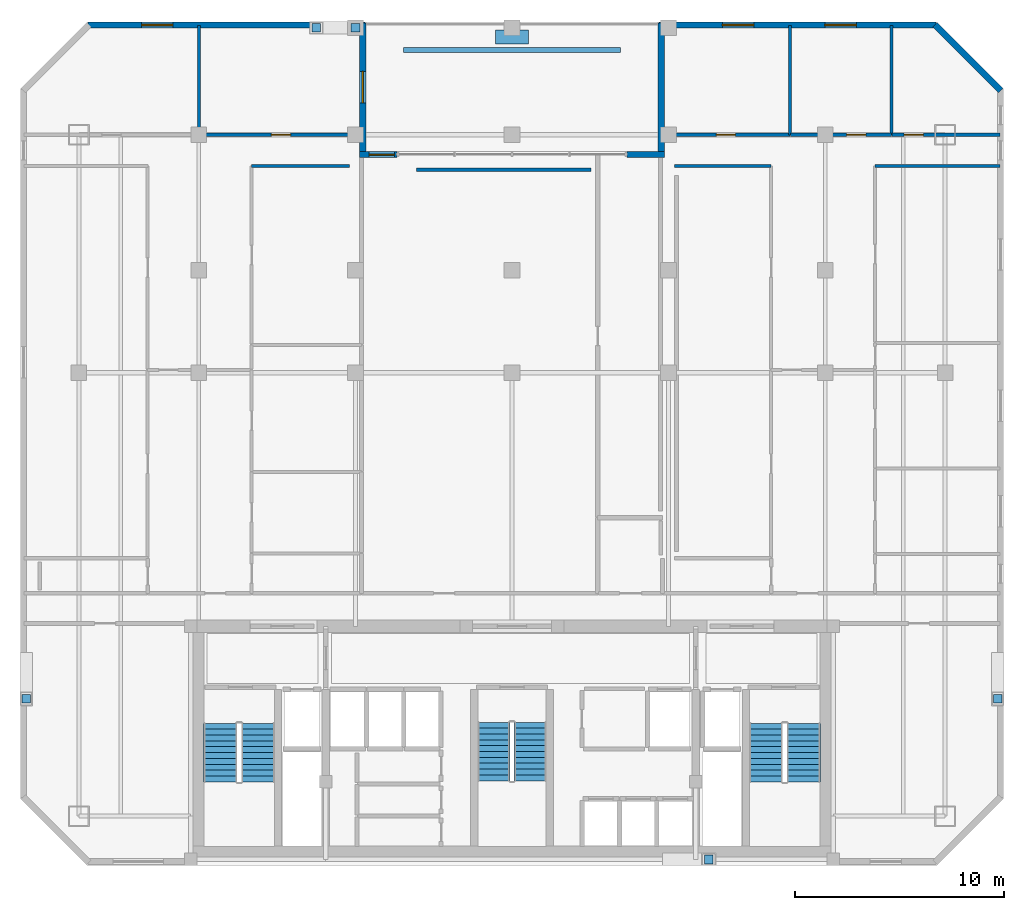
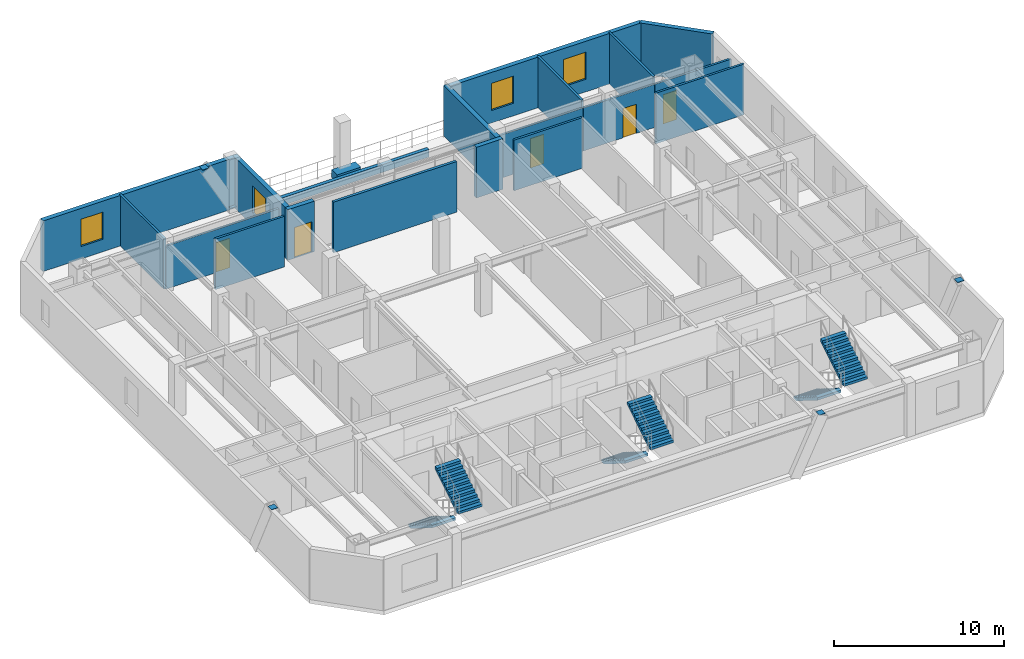
# One storey, part 8 of 9: 19 walls, 6 discrete accessories, 6 stair flights, 5 doors, 4 windows, 9 openings, 3 elements without a shape of their own.
"""IFC4 building model written with IfcOpenShell, lengths in metres."""

from ifc_helpers import new_model, si_unit, direction, frame, frame_2d, origin, origin_2d, place, context, subcontext, project, spatial, polyline, rectangle, outline, extrude, material, layer, layer_set, type_object, element, fill, aggregate, save


model = new_model("IFC4")

# Units and contexts
model_context = context("Model", 3, precision=1e-05, world=origin(), true_north=direction((0.0, 1.0)))
body_context = subcontext(model_context, "Body", "Model", "MODEL_VIEW")
ifc_project = project(units=[si_unit("LENGTHUNIT", "METRE"), si_unit("AREAUNIT", "SQUARE_METRE"), si_unit("VOLUMEUNIT", "CUBIC_METRE"), si_unit("PLANEANGLEUNIT", "RADIAN"), si_unit("MASSUNIT", "GRAM", prefix="KILO")], contexts=[model_context])

# Site, building, storey
site_placement = place(None, origin())
site = spatial("IfcSite", under=ifc_project, at=site_placement, CompositionType="ELEMENT")
building_placement = place(site_placement, origin())
building = spatial("IfcBuilding", under=site, at=building_placement, Name="Ventersveld Concourse Tower", CompositionType="ELEMENT")
storey_placement = place(building_placement, frame((0.0, 0.0, 204.14990234375)))
storey = spatial("IfcBuildingStorey", under=building, at=storey_placement, Name="L50", CompositionType="ELEMENT", Elevation=204.14990234375)

# Walls
ifc_material_1 = material(Name="Fire-rated autoclaved aerated masonry blockwork", Category="masonry")
ifc_layer_1 = layer(ifc_material_1, 0.179931640625)
ifc_layer_set_1 = layer_set([ifc_layer_1], Name="Fire-rated autoclaved aerated masonry blockwork")
wall_type_1 = type_object("IfcWallType", Name="WL-CORR-180", PredefinedType="PARTITIONING", material=ifc_layer_set_1)
wall_1_placement = place(storey_placement, frame((24.16796875, 33.320068359375, 0.0), z_axis=(0.0, 0.0, 1.0), x_axis=(1.0, 0.0, 0.0)))
element("IfcWall", 1, at=wall_1_placement, inside=storey, type_object=wall_type_1, Name="L50 Room Enclosure Wall SP-L50-SGLNG", PredefinedType="PARTITIONING", context=body_context, shape_type="SweptSolid", body=[
    extrude(rectangle(XDim=8.366943359375, YDim=0.179931640625, at=frame_2d((4.18359375, 0.0))), origin(), (0.0, 0.0, 1.0), 3.630126953125),
])
ifc_material_2 = material(Name="Autoclaved aerated masonry blockwork", Category="masonry")
ifc_layer_2 = layer(ifc_material_2, 0.14990234375)
ifc_layer_set_2 = layer_set([ifc_layer_2], Name="Autoclaved aerated masonry blockwork")
wall_type_2 = type_object("IfcWallType", Name="WL-INT-150", PredefinedType="PARTITIONING", material=ifc_layer_set_2)
wall_2_placement = place(storey_placement, frame((16.27001953125, 33.5, 0.0), z_axis=(0.0, 0.0, 1.0), x_axis=(1.0, 0.0, 0.0)))
element("IfcWall", 2, at=wall_2_placement, inside=storey, type_object=wall_type_2, Name="L50 Interior Partition SP-L50-50CW-LIV-SP-L50-50CW-DENS2", PredefinedType="PARTITIONING", context=body_context, shape_type="SweptSolid", body=[
    extrude(rectangle(XDim=4.695068359375, YDim=0.14990234375, at=frame_2d((2.34765625, 0.0))), origin(), (0.0, 0.0, 1.0), 3.630126953125),
])

# Wall, opening, door
wall_3_placement = place(storey_placement, frame((13.784912109375, 35.0, 0.0), z_axis=(0.0, 0.0, 1.0), x_axis=(1.0, 0.0, 0.0)))
wall_3 = element("IfcWall", 3, at=wall_3_placement, inside=storey, type_object=wall_type_2, Name="L50 Interior Partition SP-L50-50CW-LIV-SP-L50-50CW-BR2", PredefinedType="PARTITIONING", context=body_context, shape_type="SweptSolid", body=[
    extrude(rectangle(XDim=7.79248046875, YDim=0.14990234375, at=frame_2d((3.896240234375, 0.0))), origin(), (0.0, 0.0, 1.0), 3.085693359375),
])
opening_1_placement = place(wall_3_placement, frame((3.436279296875, 0.0, 0.0)))
opening_1 = element("IfcOpeningElement", 4, at=opening_1_placement, cuts=wall_3, Name="Opening ID1", PredefinedType="OPENING", context=body_context, shape_type="SweptSolid", body=[
    extrude(rectangle(XDim=0.919921875, YDim=2.10009765625, at=frame_2d((0.4599609375, 1.050048828125))), frame((0.0, 0.0849609375, 0.0), z_axis=(0.0, -1.0, 0.0), x_axis=(1.0, 0.0, 0.0)), (0.0, 0.0, 1.0), 0.169921875),
])
ifc_material_3 = material(Name="Solid-core hardwood veneer timber", Category="wood")
door_type_1 = type_object("IfcDoorType", Name="DR-ROOM-092", OperationType="NOTDEFINED", PredefinedType="DOOR", material=ifc_material_3)
door_1_placement = place(opening_1_placement, origin())
door_1 = element("IfcDoor", 5, at=door_1_placement, inside=storey, type_object=door_type_1, Name="L50 Interior Door SP-L50-50CW-LIV to SP-L50-50CW-BR2 (D-L50-2454)", OperationType="SINGLE_SWING_RIGHT", OverallHeight=2.10009765625, OverallWidth=0.919921875, PredefinedType="DOOR", context=body_context, shape_type="SweptSolid", body=[
    extrude(rectangle(XDim=0.919921875, YDim=2.10009765625, at=frame_2d((0.4599609375, 1.050048828125))), frame((0.0, 0.02490234375, 0.0), z_axis=(0.0, -1.0, 0.0), x_axis=(1.0, 0.0, 0.0)), (0.0, 0.0, 1.0), 0.050048828125),
])
fill(opening_1, door_1)

# Walls
wall_4_placement = place(storey_placement, frame((13.75, 34.9951171875, 0.0), z_axis=(0.0, 0.0, 1.0), x_axis=(0.0, 1.0, 0.0)))
element("IfcWall", 6, at=wall_4_placement, inside=storey, type_object=wall_type_2, Name="L50 Interior Partition SP-L50-50CW-BR1-SP-L50-50CW-BR2", PredefinedType="PARTITIONING", context=body_context, shape_type="SweptSolid", body=[
    extrude(rectangle(XDim=5.232421875, YDim=0.14990234375, at=frame_2d((2.6162109375, 0.0))), origin(), (0.0, 0.0, 1.0), 3.630126953125),
])
wall_5_placement = place(storey_placement, frame((36.534912109375, 33.5, 0.0), z_axis=(0.0, 0.0, 1.0), x_axis=(1.0, 0.0, 0.0)))
element("IfcWall", 7, at=wall_5_placement, inside=storey, type_object=wall_type_2, Name="L50 Interior Partition SP-L50-50CE-LIV-SP-L50-50CE-OFFL0", PredefinedType="PARTITIONING", context=body_context, shape_type="SweptSolid", body=[
    extrude(rectangle(XDim=4.63134765625, YDim=0.14990234375, at=frame_2d((2.315673828125, 0.0))), origin(), (0.0, 0.0, 1.0), 3.630126953125),
])
wall_6_placement = place(storey_placement, frame((46.13623046875, 33.5, 0.0), z_axis=(0.0, 0.0, 1.0), x_axis=(1.0, 0.0, 0.0)))
element("IfcWall", 8, at=wall_6_placement, inside=storey, type_object=wall_type_2, Name="L50 Interior Partition SP-L50-50CE-LIV-SP-L50-50CE-DENS2", PredefinedType="PARTITIONING", context=body_context, shape_type="SweptSolid", body=[
    extrude(rectangle(XDim=5.9912109375, YDim=0.14990234375, at=frame_2d((2.99560546875, 0.0))), origin(), (0.0, 0.0, 1.0), 3.630126953125),
])

# Wall, opening, door
wall_7_placement = place(storey_placement, frame((35.922607421875, 35.0, 0.0), z_axis=(0.0, 0.0, 1.0), x_axis=(1.0, 0.0, 0.0)))
wall_7 = element("IfcWall", 9, at=wall_7_placement, inside=storey, type_object=wall_type_2, Name="L50 Interior Partition SP-L50-50CE-LIV-SP-L50-50CE-BR1", PredefinedType="PARTITIONING", context=body_context, shape_type="SweptSolid", body=[
    extrude(rectangle(XDim=6.14794921875, YDim=0.14990234375, at=frame_2d((3.073974609375, 0.0))), origin(), (0.0, 0.0, 1.0), 3.085693359375),
])
opening_2_placement = place(wall_7_placement, frame((2.614013671875, 0.0, 0.0)))
opening_2 = element("IfcOpeningElement", 10, at=opening_2_placement, cuts=wall_7, Name="Opening ID1", PredefinedType="OPENING", context=body_context, shape_type="SweptSolid", body=[
    extrude(rectangle(XDim=0.919921875, YDim=2.10009765625, at=frame_2d((0.4599609375, 1.050048828125))), frame((0.0, 0.0849609375, 0.0), z_axis=(0.0, -1.0, 0.0), x_axis=(1.0, 0.0, 0.0)), (0.0, 0.0, 1.0), 0.169921875),
])
door_2_placement = place(opening_2_placement, origin())
door_2 = element("IfcDoor", 11, at=door_2_placement, inside=storey, type_object=door_type_1, Name="L50 Interior Door SP-L50-50CE-LIV to SP-L50-50CE-BR1 (D-L50-2464)", OperationType="SINGLE_SWING_RIGHT", OverallHeight=2.10009765625, OverallWidth=0.919921875, PredefinedType="DOOR", context=body_context, shape_type="SweptSolid", body=[
    extrude(rectangle(XDim=0.919921875, YDim=2.10009765625, at=frame_2d((0.4599609375, 1.050048828125))), frame((0.0, 0.02490234375, 0.0), z_axis=(0.0, -1.0, 0.0), x_axis=(1.0, 0.0, 0.0)), (0.0, 0.0, 1.0), 0.050048828125),
])
fill(opening_2, door_2)

wall_8_placement = place(storey_placement, frame((42.1005859375, 35.0, 0.0), z_axis=(0.0, 0.0, 1.0), x_axis=(1.0, 0.0, 0.0)))
wall_8 = element("IfcWall", 12, at=wall_8_placement, inside=storey, type_object=wall_type_2, Name="L50 Interior Partition SP-L50-50CE-LIV-SP-L50-50CE-BR2", PredefinedType="PARTITIONING", context=body_context, shape_type="SweptSolid", body=[
    extrude(rectangle(XDim=4.828125, YDim=0.14990234375, at=frame_2d((2.4140625, 0.0))), origin(), (0.0, 0.0, 1.0), 3.085693359375),
])
opening_3_placement = place(wall_8_placement, frame((2.67822265625, 0.0, 0.0)))
opening_3 = element("IfcOpeningElement", 13, at=opening_3_placement, cuts=wall_8, Name="Opening ID1", PredefinedType="OPENING", context=body_context, shape_type="SweptSolid", body=[
    extrude(rectangle(XDim=0.919921875, YDim=2.10009765625, at=frame_2d((0.4599609375, 1.050048828125))), frame((0.0, 0.0849609375, 0.0), z_axis=(0.0, -1.0, 0.0), x_axis=(1.0, 0.0, 0.0)), (0.0, 0.0, 1.0), 0.169921875),
])
door_3_placement = place(opening_3_placement, origin())
door_3 = element("IfcDoor", 14, at=door_3_placement, inside=storey, type_object=door_type_1, Name="L50 Interior Door SP-L50-50CE-LIV to SP-L50-50CE-BR2 (D-L50-2465)", OperationType="SINGLE_SWING_LEFT", OverallHeight=2.10009765625, OverallWidth=0.919921875, PredefinedType="DOOR", context=body_context, shape_type="SweptSolid", body=[
    extrude(rectangle(XDim=0.919921875, YDim=2.10009765625, at=frame_2d((0.4599609375, 1.050048828125))), frame((0.0, 0.02490234375, 0.0), z_axis=(0.0, -1.0, 0.0), x_axis=(1.0, 0.0, 0.0)), (0.0, 0.0, 1.0), 0.050048828125),
])
fill(opening_3, door_3)

wall_9_placement = place(storey_placement, frame((46.958740234375, 35.0, 0.0), z_axis=(0.0, 0.0, 1.0), x_axis=(1.0, 0.0, 0.0)))
wall_9 = element("IfcWall", 15, at=wall_9_placement, inside=storey, type_object=wall_type_2, Name="L50 Interior Partition SP-L50-50CE-LIV-SP-L50-50CE-BR3", PredefinedType="PARTITIONING", context=body_context, shape_type="SweptSolid", body=[
    extrude(rectangle(XDim=5.168701171875, YDim=0.14990234375, at=frame_2d((2.58447265625, 0.0))), origin(), (0.0, 0.0, 1.0), 3.085693359375),
])
opening_4_placement = place(wall_9_placement, frame((0.57373046875, 0.0, 0.0)))
opening_4 = element("IfcOpeningElement", 16, at=opening_4_placement, cuts=wall_9, Name="Opening ID1", PredefinedType="OPENING", context=body_context, shape_type="SweptSolid", body=[
    extrude(rectangle(XDim=0.919921875, YDim=2.10009765625, at=frame_2d((0.4599609375, 1.050048828125))), frame((0.0, 0.0849609375, 0.0), z_axis=(0.0, -1.0, 0.0), x_axis=(1.0, 0.0, 0.0)), (0.0, 0.0, 1.0), 0.169921875),
])
door_4_placement = place(opening_4_placement, origin())
door_4 = element("IfcDoor", 17, at=door_4_placement, inside=storey, type_object=door_type_1, Name="L50 Interior Door SP-L50-50CE-LIV to SP-L50-50CE-BR3 (D-L50-2466)", OperationType="SINGLE_SWING_RIGHT", OverallHeight=2.10009765625, OverallWidth=0.919921875, PredefinedType="DOOR", context=body_context, shape_type="SweptSolid", body=[
    extrude(rectangle(XDim=0.919921875, YDim=2.10009765625, at=frame_2d((0.4599609375, 1.050048828125))), frame((0.0, 0.02490234375, 0.0), z_axis=(0.0, -1.0, 0.0), x_axis=(1.0, 0.0, 0.0)), (0.0, 0.0, 1.0), 0.050048828125),
])
fill(opening_4, door_4)

# Walls
for number, where, z_axis, x_axis, name in (
    (18, (42.065673828125, 34.9951171875, 0.0), (0.0, 0.0, 1.0), (0.0, 1.0, 0.0), "L50 Interior Partition SP-L50-50CE-BR1-SP-L50-50CE-BR2"),
    (19, (46.923583984375, 34.9951171875, 0.0), (0.0, 0.0, 1.0), (0.0, 1.0, 0.0), "L50 Interior Partition SP-L50-50CE-BR2-SP-L50-50CE-BR3"),
):
    element("IfcWall", number, at=place(storey_placement, frame(where, z_axis=z_axis, x_axis=x_axis)), inside=storey, type_object=wall_type_2, Name=name, PredefinedType="PARTITIONING", context=body_context, shape_type="SweptSolid", body=[
        extrude(rectangle(XDim=5.232421875, YDim=0.14990234375, at=frame_2d((2.6162109375, 0.0))), origin(), (0.0, 0.0, 1.0), 3.630126953125),
    ])
ifc_material_4 = material(Name="Precast concrete C45/55", Category="concrete")
ifc_layer_3 = layer(ifc_material_4, 0.239990234375)
ifc_layer_set_3 = layer_set([ifc_layer_3], Name="Precast concrete C45/55")
wall_type_3 = type_object("IfcWallType", Name="WL-KERB-240", PredefinedType="PARAPET", material=ifc_layer_set_3)
wall_10_placement = place(storey_placement, frame((23.550048828125, 39.050048828125, 0.0), z_axis=(0.0, 0.0, 1.0), x_axis=(1.0, 0.0, 0.0)))
element("IfcWall", 20, at=wall_10_placement, inside=storey, type_object=wall_type_3, Name="L50 Landscaped Terrace Planter Kerb SKYGARDEN", PredefinedType="PARAPET", context=body_context, shape_type="SweptSolid", body=[
    extrude(rectangle(XDim=10.39990234375, YDim=0.239990234375, at=frame_2d((5.199951171875, 0.0))), origin(), (0.0, 0.0, 1.0), 0.550048828125),
])
ifc_layer_4 = layer(ifc_material_4, 0.300048828125)
ifc_layer_set_4 = layer_set([ifc_layer_4], Name="Precast concrete C45/55")
wall_type_4 = type_object("IfcWallType", Name="WL-PREC-300", PredefinedType="SOLIDWALL", material=ifc_layer_set_4)
wall_11_placement = place(storey_placement, frame((52.16552734375, 37.122314453125, 0.0), z_axis=(0.0, 0.0, 1.0), x_axis=(-0.707106781187, 0.707106781187, 0.0)))
element("IfcWall", 21, at=wall_11_placement, inside=storey, type_object=wall_type_4, Name="L50 Highveld Precast Facade Wall E04", PredefinedType="SOLIDWALL", context=body_context, shape_type="SweptSolid", body=[
    extrude(rectangle(XDim=4.4453125, YDim=0.300048828125, at=frame_2d((2.22265625, 0.0))), origin(), (0.0, 0.0, 1.0), 3.630126953125),
])

# Wall, openings, windows
wall_12_placement = place(storey_placement, frame((49.06005859375, 40.25, 0.0), z_axis=(0.0, 0.0, 1.0), x_axis=(-1.0, 0.0, 0.0)))
wall_12 = element("IfcWall", 22, at=wall_12_placement, inside=storey, type_object=wall_type_4, Name="L50 Highveld Precast Facade Wall E05", PredefinedType="SOLIDWALL", context=body_context, shape_type="SweptSolid", body=[
    extrude(rectangle(XDim=13.27001953125, YDim=0.300048828125, at=frame_2d((6.635009765625, 0.0))), origin(), (0.0, 0.0, 1.0), 3.630126953125),
])
opening_5_placement = place(wall_12_placement, frame((8.72607421875, 0.0, 0.89990234375)))
opening_5 = element("IfcOpeningElement", 23, at=opening_5_placement, cuts=wall_12, Name="Opening W1", PredefinedType="OPENING", context=body_context, shape_type="SweptSolid", body=[
    extrude(rectangle(XDim=1.5, YDim=1.949951171875, at=frame_2d((0.75, 0.97509765625))), frame((0.0, 0.16015625, 0.0), z_axis=(0.0, -1.0, 0.0), x_axis=(1.0, 0.0, 0.0)), (0.0, 0.0, 1.0), 0.320068359375),
])
opening_6_placement = place(wall_12_placement, frame((3.8154296875, 0.0, 0.89990234375)))
opening_6 = element("IfcOpeningElement", 24, at=opening_6_placement, cuts=wall_12, Name="Opening W1", PredefinedType="OPENING", context=body_context, shape_type="SweptSolid", body=[
    extrude(rectangle(XDim=1.5, YDim=1.949951171875, at=frame_2d((0.75, 0.97509765625))), frame((0.0, 0.16015625, 0.0), z_axis=(0.0, -1.0, 0.0), x_axis=(1.0, 0.0, 0.0)), (0.0, 0.0, 1.0), 0.320068359375),
])
ifc_material_5 = material(Name="Tempered acoustic Low-E IGU", Category="glass")
window_type = type_object("IfcWindowType", Name="WIN-150x210", PartitioningType="SINGLE_PANEL", PredefinedType="WINDOW", material=ifc_material_5)
window_1_placement = place(opening_5_placement, origin())
window_1 = element("IfcWindow", 25, at=window_1_placement, inside=storey, type_object=window_type, Name="L50 Punched Low-E Window W-0714", OverallHeight=1.949951171875, OverallWidth=1.5, PartitioningType="SINGLE_PANEL", PredefinedType="WINDOW", context=body_context, shape_type="SweptSolid", body=[
    extrude(rectangle(XDim=1.5, YDim=1.949951171875, at=frame_2d((0.75, 0.97509765625))), frame((0.0, 0.030029296875, 0.0), z_axis=(0.0, -1.0, 0.0), x_axis=(1.0, 0.0, 0.0)), (0.0, 0.0, 1.0), 0.06005859375),
])
fill(opening_5, window_1)
window_2_placement = place(opening_6_placement, origin())
window_2 = element("IfcWindow", 26, at=window_2_placement, inside=storey, type_object=window_type, Name="L50 Punched Low-E Window W-0715", OverallHeight=1.949951171875, OverallWidth=1.5, PartitioningType="SINGLE_PANEL", PredefinedType="WINDOW", context=body_context, shape_type="SweptSolid", body=[
    extrude(rectangle(XDim=1.5, YDim=1.949951171875, at=frame_2d((0.75, 0.97509765625))), frame((0.0, 0.030029296875, 0.0), z_axis=(0.0, -1.0, 0.0), x_axis=(1.0, 0.0, 0.0)), (0.0, 0.0, 1.0), 0.06005859375),
])
fill(opening_6, window_2)

# Wall
wall_13_placement = place(storey_placement, frame((35.89990234375, 40.360107421875, 0.0), z_axis=(0.0, 0.0, 1.0), x_axis=(0.0, -1.0, 0.0)))
element("IfcWall", 27, at=wall_13_placement, inside=storey, type_object=wall_type_4, Name="L50 Highveld Precast Facade Wall E06", PredefinedType="SOLIDWALL", context=body_context, shape_type="SweptSolid", body=[
    extrude(rectangle(XDim=6.16015625, YDim=0.300048828125, at=frame_2d((3.080078125, 0.0))), origin(), (0.0, 0.0, 1.0), 3.630126953125),
])

# Wall, opening, door
wall_14_placement = place(storey_placement, frame((21.449951171875, 34.050048828125, 0.0), z_axis=(0.0, 0.0, 1.0), x_axis=(1.0, 0.0, 0.0)))
wall_14 = element("IfcWall", 28, at=wall_14_placement, inside=storey, type_object=wall_type_4, Name="L50 Sky Garden West Pier", PredefinedType="SOLIDWALL", context=body_context, shape_type="SweptSolid", body=[
    extrude(rectangle(XDim=1.800048828125, YDim=0.300048828125, at=frame_2d((0.89990234375, 0.0))), origin(), (0.0, 0.0, 1.0), 3.630126953125),
])
opening_7_placement = place(wall_14_placement, frame((0.4599609375, 0.0, 0.0)))
opening_7 = element("IfcOpeningElement", 29, at=opening_7_placement, cuts=wall_14, Name="Opening TD1", PredefinedType="OPENING", context=body_context, shape_type="SweptSolid", body=[
    extrude(rectangle(XDim=1.199951171875, YDim=2.199951171875, at=frame_2d((0.60009765625, 1.10009765625))), frame((0.0, 0.16015625, 0.0), z_axis=(0.0, -1.0, 0.0), x_axis=(1.0, 0.0, 0.0)), (0.0, 0.0, 1.0), 0.320068359375),
])
ifc_material_6 = material(Name="Anodised aluminium EN AW-6063-T6", Category="aluminium")
door_type_2 = type_object("IfcDoorType", Name="DR-TERR-120", OperationType="NOTDEFINED", PredefinedType="DOOR", material=ifc_material_6)
door_5_placement = place(opening_7_placement, origin())
door_5 = element("IfcDoor", 30, at=door_5_placement, inside=storey, type_object=door_type_2, Name="L50 Sky Garden Terrace Door TD-L50-01", OperationType="SINGLE_SWING_LEFT", OverallHeight=2.199951171875, OverallWidth=1.199951171875, PredefinedType="DOOR", context=body_context, shape_type="SweptSolid", body=[
    extrude(rectangle(XDim=1.199951171875, YDim=2.199951171875, at=frame_2d((0.60009765625, 1.10009765625))), frame((0.0, 0.02490234375, 0.0), z_axis=(0.0, -1.0, 0.0), x_axis=(1.0, 0.0, 0.0)), (0.0, 0.0, 1.0), 0.050048828125),
])
fill(opening_7, door_5)

# Wall
wall_15_placement = place(storey_placement, frame((34.25, 34.050048828125, 0.0), z_axis=(0.0, 0.0, 1.0), x_axis=(1.0, 0.0, 0.0)))
element("IfcWall", 31, at=wall_15_placement, inside=storey, type_object=wall_type_4, Name="L50 Sky Garden East Pier", PredefinedType="SOLIDWALL", context=body_context, shape_type="SweptSolid", body=[
    extrude(rectangle(XDim=1.800048828125, YDim=0.300048828125, at=frame_2d((0.89990234375, 0.0))), origin(), (0.0, 0.0, 1.0), 3.630126953125),
])

# Wall, opening, window
wall_16_placement = place(storey_placement, frame((21.60009765625, 34.199951171875, 0.0), z_axis=(0.0, 0.0, 1.0), x_axis=(0.0, 1.0, 0.0)))
wall_16 = element("IfcWall", 32, at=wall_16_placement, inside=storey, type_object=wall_type_4, Name="L50 Highveld Precast Facade Wall E08", PredefinedType="SOLIDWALL", context=body_context, shape_type="SweptSolid", body=[
    extrude(rectangle(XDim=6.16015625, YDim=0.300048828125, at=frame_2d((3.080078125, 0.0))), origin(), (0.0, 0.0, 1.0), 3.630126953125),
])
opening_8_placement = place(wall_16_placement, frame((2.330078125, 0.0, 0.89990234375)))
opening_8 = element("IfcOpeningElement", 33, at=opening_8_placement, cuts=wall_16, Name="Opening W1", PredefinedType="OPENING", context=body_context, shape_type="SweptSolid", body=[
    extrude(rectangle(XDim=1.5, YDim=1.949951171875, at=frame_2d((0.75, 0.97509765625))), frame((0.0, 0.16015625, 0.0), z_axis=(0.0, -1.0, 0.0), x_axis=(1.0, 0.0, 0.0)), (0.0, 0.0, 1.0), 0.320068359375),
])
window_3_placement = place(opening_8_placement, origin())
window_3 = element("IfcWindow", 34, at=window_3_placement, inside=storey, type_object=window_type, Name="L50 Punched Low-E Window W-0708", OverallHeight=1.949951171875, OverallWidth=1.5, PartitioningType="SINGLE_PANEL", PredefinedType="WINDOW", context=body_context, shape_type="SweptSolid", body=[
    extrude(rectangle(XDim=1.5, YDim=1.949951171875, at=frame_2d((0.75, 0.97509765625))), frame((0.0, 0.030029296875, 0.0), z_axis=(0.0, -1.0, 0.0), x_axis=(1.0, 0.0, 0.0)), (0.0, 0.0, 1.0), 0.06005859375),
])
fill(opening_8, window_3)

wall_17_placement = place(storey_placement, frame((21.7099609375, 40.25, 0.0), z_axis=(0.0, 0.0, 1.0), x_axis=(-1.0, 0.0, 0.0)))
wall_17 = element("IfcWall", 35, at=wall_17_placement, inside=storey, type_object=wall_type_4, Name="L50 Highveld Precast Facade Wall E09", PredefinedType="SOLIDWALL", context=body_context, shape_type="SweptSolid", body=[
    extrude(rectangle(XDim=13.27001953125, YDim=0.300048828125, at=frame_2d((6.635009765625, 0.0))), origin(), (0.0, 0.0, 1.0), 3.630126953125),
])
opening_9_placement = place(wall_17_placement, frame((9.208740234375, 0.0, 0.89990234375)))
opening_9 = element("IfcOpeningElement", 36, at=opening_9_placement, cuts=wall_17, Name="Opening W1", PredefinedType="OPENING", context=body_context, shape_type="SweptSolid", body=[
    extrude(rectangle(XDim=1.5, YDim=1.949951171875, at=frame_2d((0.75, 0.97509765625))), frame((0.0, 0.16015625, 0.0), z_axis=(0.0, -1.0, 0.0), x_axis=(1.0, 0.0, 0.0)), (0.0, 0.0, 1.0), 0.320068359375),
])
window_4_placement = place(opening_9_placement, origin())
window_4 = element("IfcWindow", 37, at=window_4_placement, inside=storey, type_object=window_type, Name="L50 Punched Low-E Window W-0707", OverallHeight=1.949951171875, OverallWidth=1.5, PartitioningType="SINGLE_PANEL", PredefinedType="WINDOW", context=body_context, shape_type="SweptSolid", body=[
    extrude(rectangle(XDim=1.5, YDim=1.949951171875, at=frame_2d((0.75, 0.97509765625))), frame((0.0, 0.030029296875, 0.0), z_axis=(0.0, -1.0, 0.0), x_axis=(1.0, 0.0, 0.0)), (0.0, 0.0, 1.0), 0.06005859375),
])
fill(opening_9, window_4)

# Stair, stair flights
ifc_material_7 = material(Name="Concrete C50/60", Category="concrete")
stair_type_1 = type_object("IfcStairType", Name="ST-DOG-155", PredefinedType="HALF_TURN_STAIR", material=ifc_material_7)
stair_1_placement = place(storey_placement, origin())
stair_1 = element("IfcStair", 38, at=stair_1_placement, inside=storey, type_object=stair_type_1, Name="L50 Protected Central Core Escape Stair ST-03", PredefinedType="HALF_TURN_STAIR")
stair_flight_type_1 = type_object("IfcStairFlightType", Name="STF-RC-155", PredefinedType="STRAIGHT", material=ifc_material_7)
stair_flight_1_placement = place(storey_placement, frame((27.875, 6.85009765625, 0.0), z_axis=(0.0, 0.0, 1.0), x_axis=(0.0, -1.0, 0.0)))
stair_flight_1 = element("IfcStairFlight", 39, at=stair_flight_1_placement, type_object=stair_flight_type_1, Name="ST-03 flight 1", NumberOfRisers=11, NumberOfTreads=10, PredefinedType="STRAIGHT", RiserHeight=0.175, TreadLength=0.28, context=body_context, shape_type="SweptSolid", body=[
    extrude(outline(polyline([(0.0, 0.0), (0.0, 0.175048828125), (0.280029296875, 0.175048828125), (0.280029296875, 0.35009765625), (0.56005859375, 0.35009765625), (0.56005859375, 0.52490234375), (0.840087890625, 0.52490234375), (0.840087890625, 0.699951171875), (1.1201171875, 0.699951171875), (1.1201171875, 0.875), (1.39990234375, 0.875), (1.39990234375, 1.050048828125), (1.679931640625, 1.050048828125), (1.679931640625, 1.22509765625), (1.9599609375, 1.22509765625), (1.9599609375, 1.39990234375), (2.239990234375, 1.39990234375), (2.239990234375, 1.574951171875), (2.52001953125, 1.574951171875), (2.52001953125, 1.75), (2.800048828125, 1.75), (2.800048828125, 1.925048828125), (2.800048828125, 1.5732421875), (0.28271484375, 0.0), (0.0, 0.0)])), frame((0.0, 0.77490234375, 0.0), z_axis=(0.0, -1.0, 0.0), x_axis=(1.0, 0.0, 0.0)), (0.0, 0.0, 1.0), 1.550048828125),
])
stair_flight_2_placement = place(storey_placement, frame((29.625, 4.050048828125, 1.925048828125), z_axis=(0.0, 0.0, 1.0), x_axis=(0.0, 1.0, 0.0)))
stair_flight_2 = element("IfcStairFlight", 40, at=stair_flight_2_placement, type_object=stair_flight_type_1, Name="ST-03 flight 2", NumberOfRisers=11, NumberOfTreads=10, PredefinedType="STRAIGHT", RiserHeight=0.175, TreadLength=0.28, context=body_context, shape_type="SweptSolid", body=[
    extrude(outline(polyline([(0.0, 0.0), (0.0, 0.175048828125), (0.280029296875, 0.175048828125), (0.280029296875, 0.35009765625), (0.56005859375, 0.35009765625), (0.56005859375, 0.52490234375), (0.840087890625, 0.52490234375), (0.840087890625, 0.699951171875), (1.1201171875, 0.699951171875), (1.1201171875, 0.875), (1.39990234375, 0.875), (1.39990234375, 1.050048828125), (1.679931640625, 1.050048828125), (1.679931640625, 1.22509765625), (1.9599609375, 1.22509765625), (1.9599609375, 1.39990234375), (2.239990234375, 1.39990234375), (2.239990234375, 1.574951171875), (2.52001953125, 1.574951171875), (2.52001953125, 1.75), (2.800048828125, 1.75), (2.800048828125, 1.925048828125), (2.800048828125, 1.5732421875), (0.28271484375, 0.0), (0.0, 0.0)])), frame((0.0, 0.77490234375, 0.0), z_axis=(0.0, -1.0, 0.0), x_axis=(1.0, 0.0, 0.0)), (0.0, 0.0, 1.0), 1.550048828125),
])
aggregate(stair_1, [stair_flight_1, stair_flight_2])

stair_type_2 = type_object("IfcStairType", Name="ST-DOG-160", PredefinedType="HALF_TURN_STAIR", material=ifc_material_7)
stair_2_placement = place(storey_placement, origin())
stair_2 = element("IfcStair", 41, at=stair_2_placement, inside=storey, type_object=stair_type_2, Name="L50 Protected Tower Escape Stair ST-01", PredefinedType="HALF_TURN_STAIR")
stair_flight_type_2 = type_object("IfcStairFlightType", Name="STF-RC-160", PredefinedType="STRAIGHT", material=ifc_material_7)
stair_flight_3_placement = place(storey_placement, frame((14.780029296875, 6.800048828125, 0.0), z_axis=(0.0, 0.0, 1.0), x_axis=(0.0, -1.0, 0.0)))
stair_flight_3 = element("IfcStairFlight", 42, at=stair_flight_3_placement, type_object=stair_flight_type_2, Name="ST-01 flight 1", NumberOfRisers=11, NumberOfTreads=10, PredefinedType="STRAIGHT", RiserHeight=0.175, TreadLength=0.28, context=body_context, shape_type="SweptSolid", body=[
    extrude(outline(polyline([(0.0, 0.0), (0.0, 0.175048828125), (0.280029296875, 0.175048828125), (0.280029296875, 0.35009765625), (0.56005859375, 0.35009765625), (0.56005859375, 0.52490234375), (0.840087890625, 0.52490234375), (0.840087890625, 0.699951171875), (1.1201171875, 0.699951171875), (1.1201171875, 0.875), (1.39990234375, 0.875), (1.39990234375, 1.050048828125), (1.679931640625, 1.050048828125), (1.679931640625, 1.22509765625), (1.9599609375, 1.22509765625), (1.9599609375, 1.39990234375), (2.239990234375, 1.39990234375), (2.239990234375, 1.574951171875), (2.52001953125, 1.574951171875), (2.52001953125, 1.75), (2.800048828125, 1.75), (2.800048828125, 1.925048828125), (2.800048828125, 1.5732421875), (0.28271484375, 0.0), (0.0, 0.0)])), frame((0.0, 0.800048828125, 0.0), z_axis=(0.0, -1.0, 0.0), x_axis=(1.0, 0.0, 0.0)), (0.0, 0.0, 1.0), 1.60009765625),
])
stair_flight_4_placement = place(storey_placement, frame((16.580078125, 4.0, 1.925048828125), z_axis=(0.0, 0.0, 1.0), x_axis=(0.0, 1.0, 0.0)))
stair_flight_4 = element("IfcStairFlight", 43, at=stair_flight_4_placement, type_object=stair_flight_type_2, Name="ST-01 flight 2", NumberOfRisers=11, NumberOfTreads=10, PredefinedType="STRAIGHT", RiserHeight=0.175, TreadLength=0.28, context=body_context, shape_type="SweptSolid", body=[
    extrude(outline(polyline([(0.0, 0.0), (0.0, 0.175048828125), (0.280029296875, 0.175048828125), (0.280029296875, 0.35009765625), (0.56005859375, 0.35009765625), (0.56005859375, 0.52490234375), (0.840087890625, 0.52490234375), (0.840087890625, 0.699951171875), (1.1201171875, 0.699951171875), (1.1201171875, 0.875), (1.39990234375, 0.875), (1.39990234375, 1.050048828125), (1.679931640625, 1.050048828125), (1.679931640625, 1.22509765625), (1.9599609375, 1.22509765625), (1.9599609375, 1.39990234375), (2.239990234375, 1.39990234375), (2.239990234375, 1.574951171875), (2.52001953125, 1.574951171875), (2.52001953125, 1.75), (2.800048828125, 1.75), (2.800048828125, 1.925048828125), (2.800048828125, 1.5732421875), (0.28271484375, 0.0), (0.0, 0.0)])), frame((0.0, 0.800048828125, 0.0), z_axis=(0.0, -1.0, 0.0), x_axis=(1.0, 0.0, 0.0)), (0.0, 0.0, 1.0), 1.60009765625),
])
aggregate(stair_2, [stair_flight_3, stair_flight_4])

stair_3_placement = place(storey_placement, origin())
stair_3 = element("IfcStair", 44, at=stair_3_placement, inside=storey, type_object=stair_type_2, Name="L50 Protected Tower Escape Stair ST-02", PredefinedType="HALF_TURN_STAIR")
stair_flight_5_placement = place(storey_placement, frame((40.919921875, 6.800048828125, 0.0), z_axis=(0.0, 0.0, 1.0), x_axis=(0.0, -1.0, 0.0)))
stair_flight_5 = element("IfcStairFlight", 45, at=stair_flight_5_placement, type_object=stair_flight_type_2, Name="ST-02 flight 1", NumberOfRisers=11, NumberOfTreads=10, PredefinedType="STRAIGHT", RiserHeight=0.175, TreadLength=0.28, context=body_context, shape_type="SweptSolid", body=[
    extrude(outline(polyline([(0.0, 0.0), (0.0, 0.175048828125), (0.280029296875, 0.175048828125), (0.280029296875, 0.35009765625), (0.56005859375, 0.35009765625), (0.56005859375, 0.52490234375), (0.840087890625, 0.52490234375), (0.840087890625, 0.699951171875), (1.1201171875, 0.699951171875), (1.1201171875, 0.875), (1.39990234375, 0.875), (1.39990234375, 1.050048828125), (1.679931640625, 1.050048828125), (1.679931640625, 1.22509765625), (1.9599609375, 1.22509765625), (1.9599609375, 1.39990234375), (2.239990234375, 1.39990234375), (2.239990234375, 1.574951171875), (2.52001953125, 1.574951171875), (2.52001953125, 1.75), (2.800048828125, 1.75), (2.800048828125, 1.925048828125), (2.800048828125, 1.5732421875), (0.28271484375, 0.0), (0.0, 0.0)])), frame((0.0, 0.800048828125, 0.0), z_axis=(0.0, -1.0, 0.0), x_axis=(1.0, 0.0, 0.0)), (0.0, 0.0, 1.0), 1.60009765625),
])
stair_flight_6_placement = place(storey_placement, frame((42.719970703125, 4.0, 1.925048828125), z_axis=(0.0, 0.0, 1.0), x_axis=(0.0, 1.0, 0.0)))
stair_flight_6 = element("IfcStairFlight", 46, at=stair_flight_6_placement, type_object=stair_flight_type_2, Name="ST-02 flight 2", NumberOfRisers=11, NumberOfTreads=10, PredefinedType="STRAIGHT", RiserHeight=0.175, TreadLength=0.28, context=body_context, shape_type="SweptSolid", body=[
    extrude(outline(polyline([(0.0, 0.0), (0.0, 0.175048828125), (0.280029296875, 0.175048828125), (0.280029296875, 0.35009765625), (0.56005859375, 0.35009765625), (0.56005859375, 0.52490234375), (0.840087890625, 0.52490234375), (0.840087890625, 0.699951171875), (1.1201171875, 0.699951171875), (1.1201171875, 0.875), (1.39990234375, 0.875), (1.39990234375, 1.050048828125), (1.679931640625, 1.050048828125), (1.679931640625, 1.22509765625), (1.9599609375, 1.22509765625), (1.9599609375, 1.39990234375), (2.239990234375, 1.39990234375), (2.239990234375, 1.574951171875), (2.52001953125, 1.574951171875), (2.52001953125, 1.75), (2.800048828125, 1.75), (2.800048828125, 1.925048828125), (2.800048828125, 1.5732421875), (0.28271484375, 0.0), (0.0, 0.0)])), frame((0.0, 0.800048828125, 0.0), z_axis=(0.0, -1.0, 0.0), x_axis=(1.0, 0.0, 0.0)), (0.0, 0.0, 1.0), 1.60009765625),
])
aggregate(stair_3, [stair_flight_5, stair_flight_6])

# Discrete accessories
ifc_material_8 = material(Name="Structural steel S355J2", Category="steel")
discrete_accessory_type_1 = type_object("IfcDiscreteAccessoryType", Name="CONN-BRACE-ECP1", PredefinedType="BRACKET", material=ifc_material_8)
for number, where, z_axis, x_axis, name in (
    (47, (21.25, 40.1201171875, 0.2001953125), (0.0, 0.0, 1.0), (1.0, 0.0, 0.0), "L50 Steel Brace End Connection Plate ECP1-0384"),
    (48, (19.375, 40.1201171875, 3.610107421875), (0.0, 0.0, 1.0), (1.0, 0.0, 0.0), "L50 Steel Brace End Connection Plate ECP1-0385"),
    (49, (38.175048828125, 0.280029296875, 3.610107421875), (0.0, 0.0, 1.0), (1.0, 0.0, 0.0), "L50 Steel Brace End Connection Plate ECP1-0389"),
    (50, (5.47998046875, 7.97509765625, 3.610107421875), (0.0, 0.0, 1.0), (1.0, 0.0, 0.0), "L50 Steel Brace End Connection Plate ECP1-0393"),
    (51, (52.02001953125, 7.97509765625, 3.610107421875), (0.0, 0.0, 1.0), (1.0, 0.0, 0.0), "L50 Steel Brace End Connection Plate ECP1-0397"),
):
    element("IfcDiscreteAccessory", number, at=place(storey_placement, frame(where, z_axis=z_axis, x_axis=x_axis)), inside=storey, type_object=discrete_accessory_type_1, Name=name, PredefinedType="BRACKET", context=body_context, shape_type="SweptSolid", body=[
        extrude(rectangle(XDim=0.419921875, YDim=0.419921875, at=origin_2d()), origin(), (0.0, 0.0, 1.0), 0.0400390625),
    ])
discrete_accessory_type_2 = type_object("IfcDiscreteAccessoryType", Name="PLN-TERR-180", PredefinedType="USERDEFINED", material=ifc_material_4)
discrete_accessory_placement = place(storey_placement, frame((28.75, 39.679931640625, 0.0), z_axis=(0.0, 0.0, 1.0), x_axis=(1.0, 0.0, 0.0)))
element("IfcDiscreteAccessory", 52, at=discrete_accessory_placement, inside=storey, type_object=discrete_accessory_type_2, Name="L50 Planted Precast Terrace Planter Box SKYGARDEN", ObjectType="PLANTER", PredefinedType="USERDEFINED", context=body_context, shape_type="SweptSolid", body=[
    extrude(rectangle(XDim=1.60009765625, YDim=0.64990234375, at=origin_2d()), origin(), (0.0, 0.0, 1.0), 0.550048828125),
])

save(model, "model.ifc")
